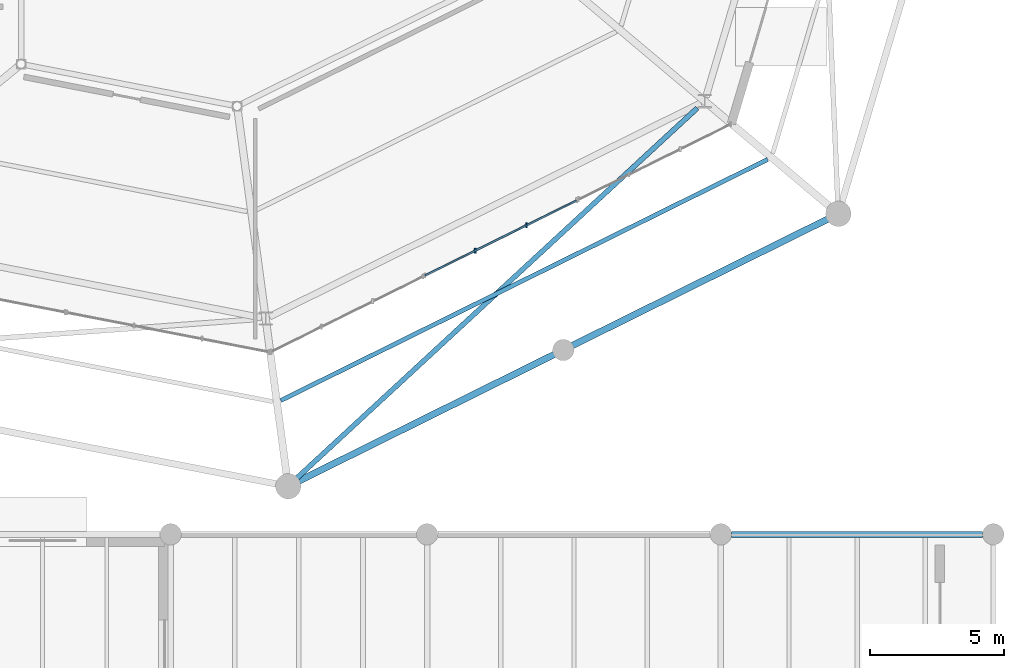
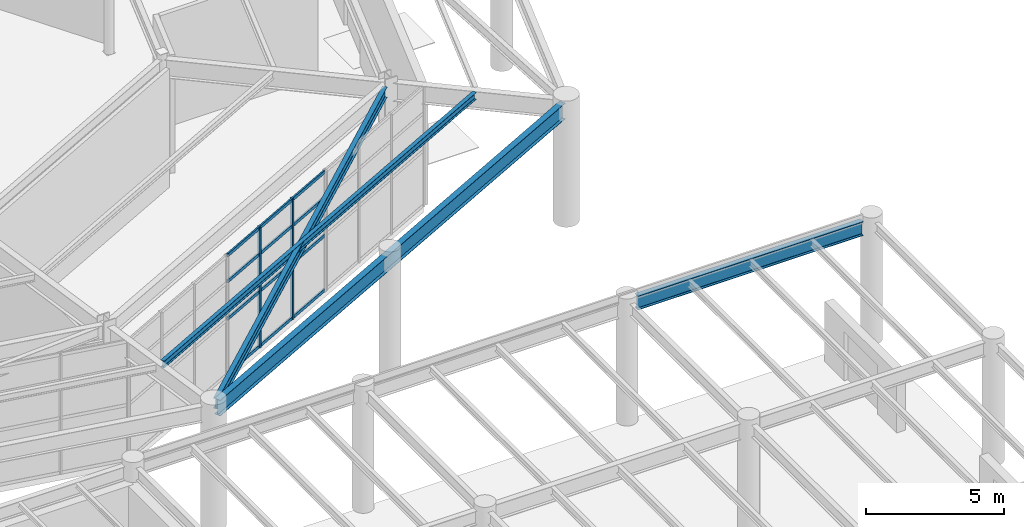
# One storey, part 30 of 70: 6 members, 4 beams, 1 element without a shape of its own.
"""IFC4 building model written with IfcOpenShell, lengths in metres."""

from ifc_helpers import new_model, si_unit, direction, frame, origin, origin_2d, place, context, subcontext, project, spatial, rectangle, i_section, extrude, material, material_profile, profile_set, type_object, element, aggregate, save


model = new_model("IFC4")

# Units and contexts
model_context = context("Model", 3, precision=1e-05, world=origin(), true_north=direction((0.0, 1.0)))
body_context = subcontext(model_context, "Body", "Model", "MODEL_VIEW")
ifc_project = project(units=[si_unit("LENGTHUNIT", "METRE"), si_unit("AREAUNIT", "SQUARE_METRE"), si_unit("VOLUMEUNIT", "CUBIC_METRE"), si_unit("PLANEANGLEUNIT", "RADIAN"), si_unit("MASSUNIT", "GRAM", prefix="KILO")], contexts=[model_context])

# Site, building, storey
site_placement = place(None, origin())
site = spatial("IfcSite", under=ifc_project, at=site_placement, CompositionType="ELEMENT")
building_placement = place(site_placement, origin())
building = spatial("IfcBuilding", under=site, at=building_placement, Name="Sarnbrook Museum", CompositionType="ELEMENT")
storey_placement = place(building_placement, origin())
storey = spatial("IfcBuildingStorey", under=building, at=storey_placement, Name="L00", CompositionType="ELEMENT", Elevation=0.0)

# Beams
ifc_material_1 = material(Name="Structural Steel Grade 300PLUS (AS/NZS 3679.1, fy = 280 MPa for 17 < t <= 40 mm, 300 MPa for t <= 17 mm)", Category="steel")
ifc_material_profile_1 = material_profile(ifc_material_1, i_section(OverallWidth=0.18994140625, OverallDepth=0.45703125, WebThickness=0.009033203125, FlangeThickness=0.014404296875, FilletRadius=0.011474609375, at=origin_2d()), Name="460UB74.6")
ifc_profile_set_1 = profile_set([ifc_material_profile_1], Name="Structural Steel Grade 300PLUS (AS/NZS 3679.1, fy = 280 MPa for 17 < t <= 40 mm, 300 MPa for t <= 17 mm)")
beam_type_1 = type_object("IfcBeamType", Name="BM-UB460", PredefinedType="BEAM", material=ifc_profile_set_1)
beam_1_placement = place(storey_placement, frame((143.0048828125, 58.79541015625, 5.10009765625), z_axis=(0.734416141921, 0.678699440464, 0.0), x_axis=(-0.678699440464, 0.734416141921, 0.0)))
element("IfcBeam", 1, at=beam_1_placement, inside=storey, type_object=beam_type_1, Name="Colonnade Ceiling Diagonal Tie Girder 2 L00", PredefinedType="BEAM", context=body_context, shape_type="SweptSolid", body=[
    extrude(i_section(OverallWidth=0.18994140625, OverallDepth=0.45703125, WebThickness=0.009033203125, FlangeThickness=0.014404296875, FilletRadius=0.011474609375, at=origin_2d()), origin(), (0.0, 0.0, 1.0), 20.57275390625),
])
ifc_material_profile_2 = material_profile(ifc_material_1, i_section(OverallWidth=0.22900390625, OverallDepth=0.612060546875, WebThickness=0.011962890625, FlangeThickness=0.01953125, FilletRadius=0.013916015625, at=origin_2d()), Name="610UB125")
ifc_profile_set_2 = profile_set([ifc_material_profile_2], Name="Structural Steel Grade 300PLUS (AS/NZS 3679.1, fy = 280 MPa for 17 < t <= 40 mm, 300 MPa for t <= 17 mm)")
beam_type_2 = type_object("IfcBeamType", Name="BM-UB610H", PredefinedType="BEAM", material=ifc_profile_set_2)
beam_2_placement = place(storey_placement, frame((159.39990234375, 56.800048828125, 5.06396484375), z_axis=(1.0, 0.0, 0.0), x_axis=(0.0, 1.0, 0.0)))
element("IfcBeam", 2, at=beam_2_placement, inside=storey, type_object=beam_type_2, Name="Girder G:17-18 L00", PredefinedType="BEAM", context=body_context, shape_type="SweptSolid", body=[
    extrude(i_section(OverallWidth=0.22900390625, OverallDepth=0.612060546875, WebThickness=0.011962890625, FlangeThickness=0.01953125, FilletRadius=0.013916015625, at=origin_2d()), origin(), (0.0, 0.0, 1.0), 9.400146484375),
])
ifc_material_2 = material(Name="Structural Steel Grade 350L0 (AS/NZS 3678, fy = 340 MPa for 20 < t <= 40 mm)", Category="steel")
ifc_material_profile_3 = material_profile(ifc_material_2, i_section(OverallWidth=0.25, OverallDepth=0.699951171875, WebThickness=0.010009765625, FlangeThickness=0.01611328125, at=origin_2d()), Name="700WB130")
ifc_profile_set_3 = profile_set([ifc_material_profile_3], Name="Structural Steel Grade 350L0 (AS/NZS 3678, fy = 340 MPa for 20 < t <= 40 mm)")
beam_type_3 = type_object("IfcBeamType", Name="BM-WB700", PredefinedType="BEAM", material=ifc_profile_set_3)
beam_3_placement = place(storey_placement, frame((143.02392578125, 58.7109375, 4.989990234375), z_axis=(0.896159699382, 0.443731668021, 0.0), x_axis=(-0.443731668021, 0.896159699382, 0.0)))
element("IfcBeam", 3, at=beam_3_placement, inside=storey, type_object=beam_type_3, Name="Crystal Hall Perimeter Ring Girder 2 L00", PredefinedType="BEAM", context=body_context, shape_type="SweptSolid", body=[
    extrude(i_section(OverallWidth=0.25, OverallDepth=0.699951171875, WebThickness=0.010009765625, FlangeThickness=0.01611328125, at=origin_2d()), origin(), (0.0, 0.0, 1.0), 22.487060546875),
])

# Curtain wall, members
ifc_material_3 = material(Name="Thermally Broken Anodised Aluminium 6063-T6", Category="aluminium")
curtain_wall_type = type_object("IfcCurtainWallType", Name="CurtainWall_Colonnade", PredefinedType="NOTDEFINED", material=ifc_material_3)
curtain_wall_placement = place(storey_placement, origin())
curtain_wall = element("IfcCurtainWall", 4, at=curtain_wall_placement, inside=storey, type_object=curtain_wall_type, Name="Colonnade Recessed Glazing L00-F2.2", PredefinedType="NOTDEFINED")
ifc_material_profile_4 = material_profile(ifc_material_3, rectangle(XDim=0.06494140625, YDim=0.179931640625, at=origin_2d()), Name="ALU MULLION 65x180")
ifc_profile_set_4 = profile_set([ifc_material_profile_4], Name="Thermally Broken Anodised Aluminium 6063-T6")
member_type_1 = type_object("IfcMemberType", Name="CW_Mullion_180x75", PredefinedType="MULLION", material=ifc_profile_set_4)
member_1_placement = place(storey_placement, frame((149.800048828125, 67.42236328125, 0.0), z_axis=(0.0, 0.0, 1.0), x_axis=(1.0, 0.0, 0.0)))
member_1 = element("IfcMember", 5, at=member_1_placement, type_object=member_type_1, Name="Colonnade Recessed Glazing L00-F2.2 Mullion 2", PredefinedType="MULLION", context=body_context, shape_type="SweptSolid", body=[
    extrude(rectangle(XDim=0.06494140625, YDim=0.179931640625, at=origin_2d()), origin(), (0.0, 0.0, 1.0), 5.2900390625),
])
member_2_placement = place(storey_placement, frame((151.718994140625, 68.372314453125, 0.0), z_axis=(0.0, 0.0, 1.0), x_axis=(1.0, 0.0, 0.0)))
member_2 = element("IfcMember", 6, at=member_2_placement, type_object=member_type_1, Name="Colonnade Recessed Glazing L00-F2.2 Mullion 3", PredefinedType="MULLION", context=body_context, shape_type="SweptSolid", body=[
    extrude(rectangle(XDim=0.06494140625, YDim=0.179931640625, at=origin_2d()), origin(), (0.0, 0.0, 1.0), 5.2900390625),
])
ifc_material_profile_5 = material_profile(ifc_material_3, rectangle(XDim=0.06494140625, YDim=0.139892578125, at=origin_2d()), Name="ALU TRANSOM 65x140")
ifc_profile_set_5 = profile_set([ifc_material_profile_5], Name="Thermally Broken Anodised Aluminium 6063-T6")
member_type_2 = type_object("IfcMemberType", Name="CW_Transom_150x65", PredefinedType="USERDEFINED", material=ifc_profile_set_5)
member_3_placement = place(storey_placement, frame((147.926025390625, 66.494384765625, 0.0400390625), z_axis=(0.896165456409, 0.443720040949, 0.0), x_axis=(-0.443720040949, 0.896165456409, 0.0)))
member_3 = element("IfcMember", 7, at=member_3_placement, type_object=member_type_2, Name="Colonnade Recessed Glazing L00-F2.2 Transom 1", ObjectType="TRANSOM", PredefinedType="USERDEFINED", context=body_context, shape_type="SweptSolid", body=[
    extrude(rectangle(XDim=0.06494140625, YDim=0.139892578125, at=origin_2d()), origin(), (0.0, 0.0, 1.0), 6.323486328125),
])
member_4_placement = place(storey_placement, frame((147.926025390625, 66.494384765625, 2.449951171875), z_axis=(0.896165456409, 0.443720040949, 0.0), x_axis=(-0.443720040949, 0.896165456409, 0.0)))
member_4 = element("IfcMember", 8, at=member_4_placement, type_object=member_type_2, Name="Colonnade Recessed Glazing L00-F2.2 Transom 2", ObjectType="TRANSOM", PredefinedType="USERDEFINED", context=body_context, shape_type="SweptSolid", body=[
    extrude(rectangle(XDim=0.06494140625, YDim=0.139892578125, at=origin_2d()), origin(), (0.0, 0.0, 1.0), 6.323486328125),
])
member_5_placement = place(storey_placement, frame((147.926025390625, 66.494384765625, 4.10009765625), z_axis=(0.896165456409, 0.443720040949, 0.0), x_axis=(-0.443720040949, 0.896165456409, 0.0)))
member_5 = element("IfcMember", 9, at=member_5_placement, type_object=member_type_2, Name="Colonnade Recessed Glazing L00-F2.2 Transom 3", ObjectType="TRANSOM", PredefinedType="USERDEFINED", context=body_context, shape_type="SweptSolid", body=[
    extrude(rectangle(XDim=0.06494140625, YDim=0.139892578125, at=origin_2d()), origin(), (0.0, 0.0, 1.0), 6.323486328125),
])
member_6_placement = place(storey_placement, frame((147.926025390625, 66.494384765625, 5.25), z_axis=(0.896165456409, 0.443720040949, 0.0), x_axis=(-0.443720040949, 0.896165456409, 0.0)))
member_6 = element("IfcMember", 10, at=member_6_placement, type_object=member_type_2, Name="Colonnade Recessed Glazing L00-F2.2 Transom 4", ObjectType="TRANSOM", PredefinedType="USERDEFINED", context=body_context, shape_type="SweptSolid", body=[
    extrude(rectangle(XDim=0.06494140625, YDim=0.139892578125, at=origin_2d()), origin(), (0.0, 0.0, 1.0), 6.323486328125),
])
aggregate(curtain_wall, [member_1, member_2, member_3, member_4, member_5, member_6])

# Beam
ifc_material_profile_6 = material_profile(ifc_material_1, i_section(OverallWidth=0.1650390625, OverallDepth=0.303955078125, WebThickness=0.006103515625, FlangeThickness=0.01025390625, FilletRadius=0.011474609375, at=origin_2d()), Name="310UB40.4")
ifc_profile_set_6 = profile_set([ifc_material_profile_6], Name="Structural Steel Grade 300PLUS (AS/NZS 3679.1, fy = 280 MPa for 17 < t <= 40 mm, 300 MPa for t <= 17 mm)")
beam_type_4 = type_object("IfcBeamType", Name="JS-UB310", PredefinedType="JOIST", material=ifc_profile_set_6)
beam_4_placement = place(storey_placement, frame((142.521484375, 61.809814453125, 5.18798828125), z_axis=(0.896162900566, 0.443725202855, 0.0), x_axis=(-0.443725202855, 0.896162900566, 0.0)))
element("IfcBeam", 11, at=beam_4_placement, inside=storey, type_object=beam_type_4, Name="Crystal Hall Tangential Joist MO-2 L00", PredefinedType="JOIST", context=body_context, shape_type="SweptSolid", body=[
    extrude(i_section(OverallWidth=0.1650390625, OverallDepth=0.303955078125, WebThickness=0.006103515625, FlangeThickness=0.01025390625, FilletRadius=0.011474609375, at=origin_2d()), origin(), (0.0, 0.0, 1.0), 20.343994140625),
])

save(model, "model.ifc")
